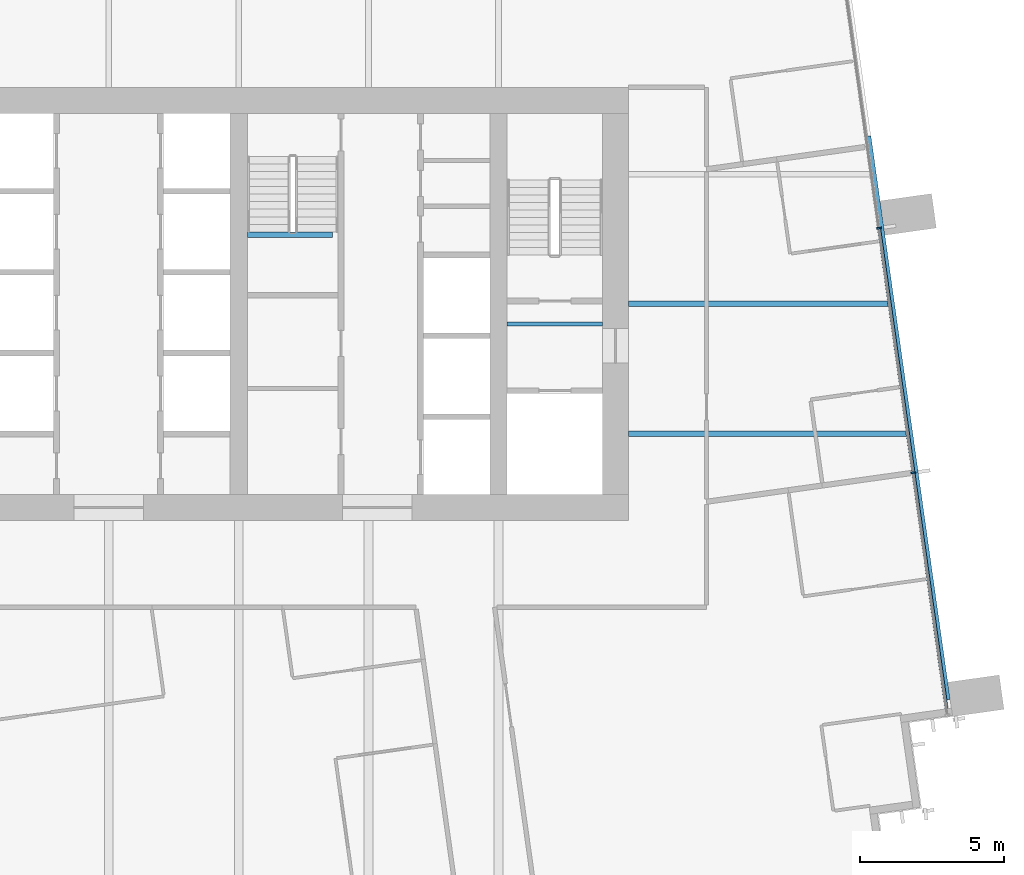
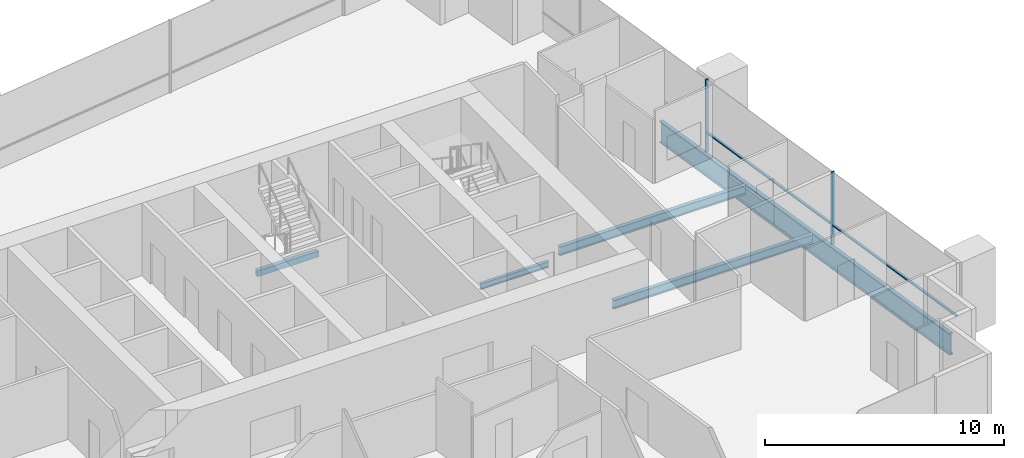
# One storey, part 5 of 14: 5 beams, 4 members, 1 element without a shape of its own.
"""IFC4 building model written with IfcOpenShell, lengths in metres."""

from ifc_helpers import new_model, si_unit, direction, frame, origin, origin_2d, place, context, subcontext, project, spatial, rectangle, i_section, extrude, material, material_profile, profile_set, type_object, element, aggregate, save


model = new_model("IFC4")

# Units and contexts
model_context = context("Model", 3, precision=1e-05, world=origin(), true_north=direction((0.0, 1.0)))
body_context = subcontext(model_context, "Body", "Model", "MODEL_VIEW")
ifc_project = project(units=[si_unit("LENGTHUNIT", "METRE"), si_unit("AREAUNIT", "SQUARE_METRE"), si_unit("VOLUMEUNIT", "CUBIC_METRE"), si_unit("PLANEANGLEUNIT", "RADIAN"), si_unit("MASSUNIT", "GRAM", prefix="KILO")], contexts=[model_context])

# Site, building, storey
site_placement = place(None, origin())
site = spatial("IfcSite", under=ifc_project, at=site_placement, CompositionType="ELEMENT")
building_placement = place(site_placement, origin())
building = spatial("IfcBuilding", under=site, at=building_placement, Name="Rattan Terrace Tower", CompositionType="ELEMENT")
storey_placement = place(building_placement, frame((0.0, 0.0, 184.10009765625)))
storey = spatial("IfcBuildingStorey", under=building, at=storey_placement, Name="L42", CompositionType="ELEMENT", Elevation=184.10009765625)

# Beam
ifc_material_1 = material(Name="Concrete C40/50", Category="concrete")
ifc_material_profile_1 = material_profile(ifc_material_1, rectangle(XDim=0.199951171875, YDim=0.300048828125, at=origin_2d()), Name="RC 200x300")
ifc_profile_set_1 = profile_set([ifc_material_profile_1], Name="Concrete C40/50")
beam_type_1 = type_object("IfcBeamType", Name="Core landing beam RC 200x300", PredefinedType="BEAM", material=ifc_profile_set_1)
beam_1_placement = place(storey_placement, frame((4.800048828125, 2.39990234375, 1.599853515625), z_axis=(1.0, 0.0, 0.0), x_axis=(0.0, 1.0, 0.0)))
element("IfcBeam", 1, at=beam_1_placement, inside=storey, type_object=beam_type_1, Name="st-S3-L42 landing 1 edge beam", PredefinedType="BEAM", context=body_context, shape_type="SweptSolid", body=[
    extrude(rectangle(XDim=0.199951171875, YDim=0.300048828125, at=origin_2d()), origin(), (0.0, 0.0, 1.0), 2.949951171875),
])

# Curtain wall, members
ifc_material_2 = material(Name="Aluminium and glass", Category="aluminium")
curtain_wall_type = type_object("IfcCurtainWallType", Name="Facade Unitised Curtain Wall", PredefinedType="NOTDEFINED", material=ifc_material_2)
curtain_wall_placement = place(storey_placement, origin())
curtain_wall = element("IfcCurtainWall", 2, at=curtain_wall_placement, inside=storey, type_object=curtain_wall_type, Name="Curtain wall L42-1", PredefinedType="NOTDEFINED")
ifc_material_3 = material(Name="Aluminium", Category="aluminium")
ifc_material_profile_2 = material_profile(ifc_material_3, rectangle(XDim=0.06005859375, YDim=0.159912109375, at=origin_2d()), Name="Aluminium 60x160")
ifc_profile_set_2 = profile_set([ifc_material_profile_2], Name="Aluminium")
member_type_1 = type_object("IfcMemberType", Name="Facade CW Mullion 60x160", PredefinedType="MULLION", material=ifc_profile_set_2)
member_1_placement = place(storey_placement, frame((27.857666015625, -5.8408203125, 0.0), z_axis=(0.0, 0.0, 1.0), x_axis=(-0.139190856006, 0.99026557327, 0.0)))
member_1 = element("IfcMember", 3, at=member_1_placement, type_object=member_type_1, Name="Mullion cwl-L42-001.2", PredefinedType="MULLION", context=body_context, shape_type="SweptSolid", body=[
    extrude(rectangle(XDim=0.06005859375, YDim=0.159912109375, at=origin_2d()), origin(), (0.0, 0.0, 1.0), 3.699951171875),
])
member_2_placement = place(storey_placement, frame((26.66748046875, 2.6259765625, 0.0), z_axis=(0.0, 0.0, 1.0), x_axis=(-0.139190856006, 0.99026557327, 0.0)))
member_2 = element("IfcMember", 4, at=member_2_placement, type_object=member_type_1, Name="Mullion cwl-L42-001.3", PredefinedType="MULLION", context=body_context, shape_type="SweptSolid", body=[
    extrude(rectangle(XDim=0.06005859375, YDim=0.159912109375, at=origin_2d()), origin(), (0.0, 0.0, 1.0), 3.699951171875),
])
ifc_material_4 = material(Name="Aluminium", Category="aluminium")
ifc_material_profile_3 = material_profile(ifc_material_4, rectangle(XDim=0.1201171875, YDim=0.06005859375, at=origin_2d()), Name="Aluminium 120x60")
ifc_profile_set_3 = profile_set([ifc_material_profile_3], Name="Aluminium")
member_type_2 = type_object("IfcMemberType", Name="Facade CW Transom 120x60", PredefinedType="USERDEFINED", material=ifc_profile_set_3)
member_3_placement = place(storey_placement, frame((29.032958984375, -14.20361328125, 1.0), z_axis=(-0.139174814558, 0.99026782791, 0.0), x_axis=(-0.99026782791, -0.139174814558, 0.0)))
member_3 = element("IfcMember", 5, at=member_3_placement, type_object=member_type_2, Name="Transom cwl-L42-001.1", ObjectType="TRANSOM", PredefinedType="USERDEFINED", context=body_context, shape_type="SweptSolid", body=[
    extrude(rectangle(XDim=0.1201171875, YDim=0.06005859375, at=origin_2d()), origin(), (0.0, 0.0, 1.0), 8.414794921875),
])
member_4_placement = place(storey_placement, frame((27.853515625, -5.811279296875, 1.0), z_axis=(-0.139206806234, 0.990263331189, 0.0), x_axis=(-0.990263331189, -0.139206806234, 0.0)))
member_4 = element("IfcMember", 6, at=member_4_placement, type_object=member_type_2, Name="Transom cwl-L42-001.2", ObjectType="TRANSOM", PredefinedType="USERDEFINED", context=body_context, shape_type="SweptSolid", body=[
    extrude(rectangle(XDim=0.1201171875, YDim=0.06005859375, at=origin_2d()), origin(), (0.0, 0.0, 1.0), 8.490234375),
])
aggregate(curtain_wall, [member_1, member_2, member_3, member_4])

# Beams
ifc_material_5 = material(Name="Steel S460", Category="steel")
ifc_material_profile_4 = material_profile(ifc_material_5, i_section(OverallWidth=0.179931640625, OverallDepth=1.10009765625, WebThickness=0.01611328125, FlangeThickness=0.050048828125, at=origin_2d()), Name="PG 1100x180-16-50")
ifc_profile_set_4 = profile_set([ifc_material_profile_4], Name="Steel S460")
beam_type_2 = type_object("IfcBeamType", Name="Frame edge girder PG 1100x180-16-50", PredefinedType="SPANDREL", material=ifc_profile_set_4)
beam_2_placement = place(storey_placement, frame((26.301025390625, 5.81201171875, -0.75), z_axis=(0.139187065437, -0.990266106062, 0.0), x_axis=(0.990266106062, 0.139187065437, 0.0)))
element("IfcBeam", 7, at=beam_2_placement, inside=storey, type_object=beam_type_2, Name="gdr-L42-005", PredefinedType="SPANDREL", context=body_context, shape_type="SweptSolid", body=[
    extrude(i_section(OverallWidth=0.179931640625, OverallDepth=1.10009765625, WebThickness=0.01611328125, FlangeThickness=0.050048828125, at=origin_2d()), origin(), (0.0, 0.0, 1.0), 19.706787109375),
])
ifc_material_6 = material(Name="Steel S355", Category="steel")
ifc_material_profile_5 = material_profile(ifc_material_6, i_section(OverallWidth=0.14990234375, OverallDepth=0.300048828125, WebThickness=0.007080078125, FlangeThickness=0.0107421875, FilletRadius=0.014892578125, at=origin_2d()), Name="IPE 300")
ifc_profile_set_5 = profile_set([ifc_material_profile_5], Name="Steel S355")
beam_type_3 = type_object("IfcBeamType", Name="Frame floor beam IPE 300", PredefinedType="JOIST", material=ifc_profile_set_5)
beam_3_placement = place(storey_placement, frame((13.800048828125, -0.695068359375, -0.35009765625), z_axis=(1.0, 0.0, 0.0), x_axis=(0.0, 1.0, 0.0)))
element("IfcBeam", 8, at=beam_3_placement, inside=storey, type_object=beam_type_3, Name="bm-L42-002", PredefinedType="JOIST", context=body_context, shape_type="SweptSolid", body=[
    extrude(i_section(OverallWidth=0.14990234375, OverallDepth=0.300048828125, WebThickness=0.007080078125, FlangeThickness=0.0107421875, FilletRadius=0.014892578125, at=origin_2d()), origin(), (0.0, 0.0, 1.0), 3.300048828125),
])
ifc_material_7 = material(Name="Steel S355", Category="steel")
ifc_material_profile_6 = material_profile(ifc_material_7, i_section(OverallWidth=0.18994140625, OverallDepth=0.449951171875, WebThickness=0.009521484375, FlangeThickness=0.0146484375, FilletRadius=0.02099609375, at=origin_2d()), Name="IPE 450")
ifc_profile_set_6 = profile_set([ifc_material_profile_6], Name="Steel S355")
beam_type_4 = type_object("IfcBeamType", Name="Frame floor beam IPE 450", PredefinedType="JOIST", material=ifc_profile_set_6)
beam_4_placement = place(storey_placement, frame((18.0, -4.5, -0.425048828125), z_axis=(1.0, 0.0, 0.0), x_axis=(0.0, 1.0, 0.0)))
element("IfcBeam", 9, at=beam_4_placement, inside=storey, type_object=beam_type_4, Name="bm-L42-011", PredefinedType="JOIST", context=body_context, shape_type="SweptSolid", body=[
    extrude(i_section(OverallWidth=0.18994140625, OverallDepth=0.449951171875, WebThickness=0.009521484375, FlangeThickness=0.0146484375, FilletRadius=0.02099609375, at=origin_2d()), origin(), (0.0, 0.0, 1.0), 9.64599609375),
])
beam_5_placement = place(storey_placement, frame((18.0, 0.0, -0.425048828125), z_axis=(1.0, 0.0, 0.0), x_axis=(0.0, 1.0, 0.0)))
element("IfcBeam", 10, at=beam_5_placement, inside=storey, type_object=beam_type_4, Name="bm-L42-013", PredefinedType="JOIST", context=body_context, shape_type="SweptSolid", body=[
    extrude(i_section(OverallWidth=0.18994140625, OverallDepth=0.449951171875, WebThickness=0.009521484375, FlangeThickness=0.0146484375, FilletRadius=0.02099609375, at=origin_2d()), origin(), (0.0, 0.0, 1.0), 9.013916015625),
])

save(model, "model.ifc")
